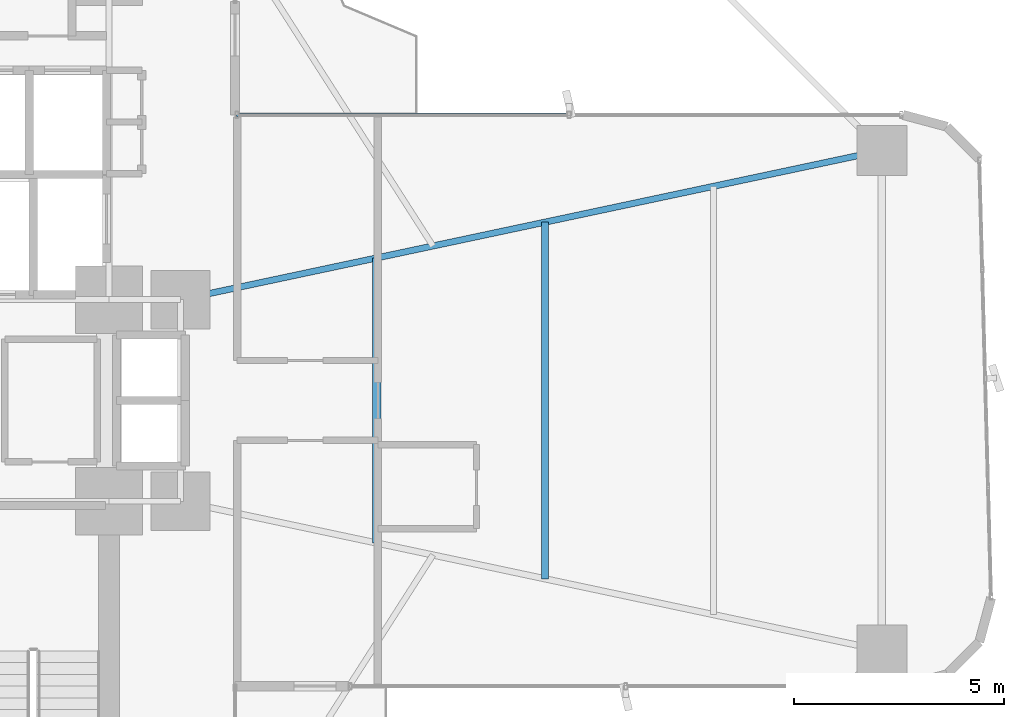
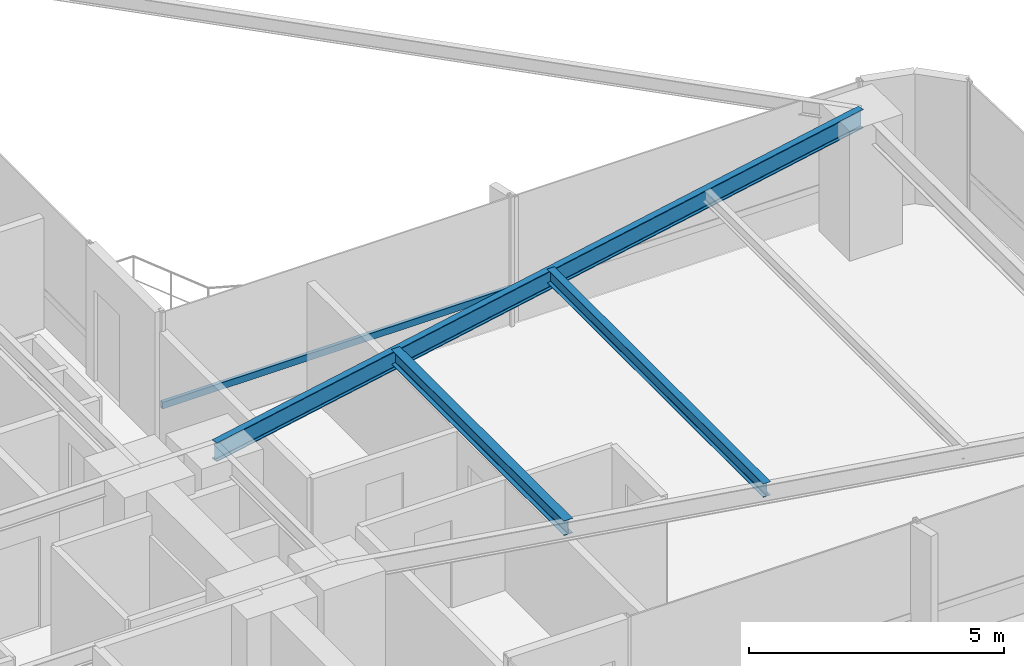
# One storey, part 15 of 26: 3 beams, 1 member, 1 element without a shape of its own.
"""IFC4 building model written with IfcOpenShell, lengths in metres."""

from ifc_helpers import new_model, si_unit, direction, frame, origin, origin_2d, place, context, subcontext, project, spatial, hollow_rectangle, i_section, extrude, source, transform, mapped, material, material_profile, profile_set, type_object, element, aggregate, save


model = new_model("IFC4")

# Units and contexts
model_context = context("Model", 3, precision=1e-05, world=origin(), true_north=direction((0.0, 1.0)))
body_context = subcontext(model_context, "Body", "Model", "MODEL_VIEW")
ifc_project = project(units=[si_unit("LENGTHUNIT", "METRE"), si_unit("AREAUNIT", "SQUARE_METRE"), si_unit("VOLUMEUNIT", "CUBIC_METRE"), si_unit("PLANEANGLEUNIT", "RADIAN"), si_unit("MASSUNIT", "GRAM", prefix="KILO")], contexts=[model_context])

# Site, building, storey
site_placement = place(None, origin())
site = spatial("IfcSite", under=ifc_project, at=site_placement, CompositionType="ELEMENT")
building_placement = place(site_placement, origin())
building = spatial("IfcBuilding", under=site, at=building_placement, Name="Sahyath Konkavel Grand Hotel", CompositionType="ELEMENT")
storey_placement = place(building_placement, frame((0.0, 0.0, 29.800048828125)))
storey = spatial("IfcBuildingStorey", under=building, at=storey_placement, Name="L07", CompositionType="ELEMENT", Elevation=29.800048828125)

# Beams
ifc_material_1 = material(Name="Steel E350", Category="steel")
ifc_material_profile_1 = material_profile(ifc_material_1, i_section(OverallWidth=0.14990234375, OverallDepth=0.449951171875, WebThickness=0.009521484375, FlangeThickness=0.017333984375, FilletRadius=0.014892578125, at=origin_2d()), Name="ISMB 450")
ifc_profile_set_1 = profile_set([ifc_material_profile_1], Name="Steel E350")
beam_type_1 = type_object("IfcBeamType", Name="BM-ISMB450", PredefinedType="BEAM", material=ifc_profile_set_1)
shared_shape_1 = source(origin(), body_context, "Body", "SweptSolid", [
    extrude(i_section(OverallWidth=0.14990234375, OverallDepth=0.449951171875, WebThickness=0.009521484375, FlangeThickness=0.017333984375, FilletRadius=0.014892578125, at=origin_2d()), origin(), (0.0, 0.0, 1.0), 17.072998046875),
])
beam_1_placement = place(storey_placement, frame((5.5, 2.39990234375, 2.885009765625), z_axis=(0.978143257225, 0.20793212437, 0.0), x_axis=(-0.20793212437, 0.978143257225, 0.0)))
element("IfcBeam", 1, at=beam_1_placement, inside=storey, type_object=beam_type_1, Name="L07 Cruciform Radial Girder EB", PredefinedType="BEAM", context=body_context, shape_type="MappedRepresentation", body=[
    mapped(shared_shape_1, transform((0.0, 0.0, 0.0), scale=1.0)),
])
ifc_material_profile_2 = material_profile(ifc_material_1, i_section(OverallWidth=0.199951171875, OverallDepth=0.35009765625, WebThickness=0.008056640625, FlangeThickness=0.011474609375, FilletRadius=0.013916015625, at=origin_2d()), Name="ISWB 350")
ifc_profile_set_2 = profile_set([ifc_material_profile_2], Name="Steel E350")
beam_type_2 = type_object("IfcBeamType", Name="BM-ISWB350", PredefinedType="BEAM", material=ifc_profile_set_2)
shared_shape_2 = source(origin(), body_context, "Body", "SweptSolid", [
    extrude(i_section(OverallWidth=0.199951171875, OverallDepth=0.35009765625, WebThickness=0.008056640625, FlangeThickness=0.011474609375, FilletRadius=0.013916015625, at=origin_2d()), origin(), (0.0, 0.0, 1.0), 6.7880859375),
])
beam_2_placement = place(storey_placement, frame((10.176025390625, -3.39404296875, 2.93505859375), z_axis=(0.0, 1.0, 0.0), x_axis=(-1.0, 0.0, 0.0)))
element("IfcBeam", 2, at=beam_2_placement, inside=storey, type_object=beam_type_2, Name="L07 Secondary Floor Beam E-1", PredefinedType="BEAM", context=body_context, shape_type="MappedRepresentation", body=[
    mapped(shared_shape_2, transform((0.0, 0.0, 0.0), scale=1.0)),
])
ifc_material_profile_3 = material_profile(ifc_material_1, i_section(OverallWidth=0.1650390625, OverallDepth=0.324951171875, WebThickness=0.007080078125, FlangeThickness=0.009765625, FilletRadius=0.014892578125, at=origin_2d()), Name="ISLB 325")
ifc_profile_set_3 = profile_set([ifc_material_profile_3], Name="Steel E350")
beam_type_3 = type_object("IfcBeamType", Name="BM-ISLB325", PredefinedType="BEAM", material=ifc_profile_set_3)
shared_shape_3 = source(origin(), body_context, "Body", "SweptSolid", [
    extrude(i_section(OverallWidth=0.1650390625, OverallDepth=0.324951171875, WebThickness=0.007080078125, FlangeThickness=0.009765625, FilletRadius=0.014892578125, at=origin_2d()), origin(), (0.0, 0.0, 1.0), 8.4921875),
])
beam_3_placement = place(storey_placement, frame((14.18408203125, -4.24609375, 2.947509765625), z_axis=(0.0, 1.0, 0.0), x_axis=(-1.0, 0.0, 0.0)))
element("IfcBeam", 3, at=beam_3_placement, inside=storey, type_object=beam_type_3, Name="L07 Secondary Floor Beam E-2", PredefinedType="BEAM", context=body_context, shape_type="MappedRepresentation", body=[
    mapped(shared_shape_3, transform((0.0, 0.0, 0.0), scale=1.0)),
])

# Curtain wall, member
ifc_material_2 = material(Name="Anodised Bronze Aluminium & Low-E Glazing", Category="aluminium")
curtain_wall_type = type_object("IfcCurtainWallType", Name="CW-ZONE1", PredefinedType="NOTDEFINED", material=ifc_material_2)
curtain_wall_placement = place(storey_placement, origin())
curtain_wall = element("IfcCurtainWall", 4, at=curtain_wall_placement, inside=storey, type_object=curtain_wall_type, Name="L07 Unitised Curtain Wall F7", PredefinedType="NOTDEFINED")
ifc_material_3 = material(Name="Anodised Bronze Aluminium", Category="aluminium")
ifc_material_profile_4 = material_profile(ifc_material_3, hollow_rectangle(XDim=0.080078125, YDim=0.159912109375, WallThickness=0.006103515625, at=origin_2d()), Name="RHS 160x80x6")
ifc_profile_set_4 = profile_set([ifc_material_profile_4], Name="Anodised Bronze Aluminium")
member_type = type_object("IfcMemberType", Name="CW-TRN-160", PredefinedType="USERDEFINED", material=ifc_profile_set_4)
shared_shape_4 = source(origin(), body_context, "Body", "SweptSolid", [
    extrude(hollow_rectangle(XDim=0.080078125, YDim=0.159912109375, WallThickness=0.006103515625, at=origin_2d()), origin(), (0.0, 0.0, 1.0), 7.909912109375),
])
member_placement = place(storey_placement, frame((14.75, 6.800048828125, 0.849853515625), z_axis=(-1.0, 0.0, 0.0), x_axis=(0.0, -1.0, 0.0)))
member = element("IfcMember", 5, at=member_placement, type_object=member_type, Name="L07 Curtain Wall Transom F7-1-spandrel", ObjectType="TRANSOM", PredefinedType="USERDEFINED", context=body_context, shape_type="MappedRepresentation", body=[
    mapped(shared_shape_4, transform((0.0, 0.0, 0.0), scale=1.0)),
])
aggregate(curtain_wall, [member])

save(model, "model.ifc")
